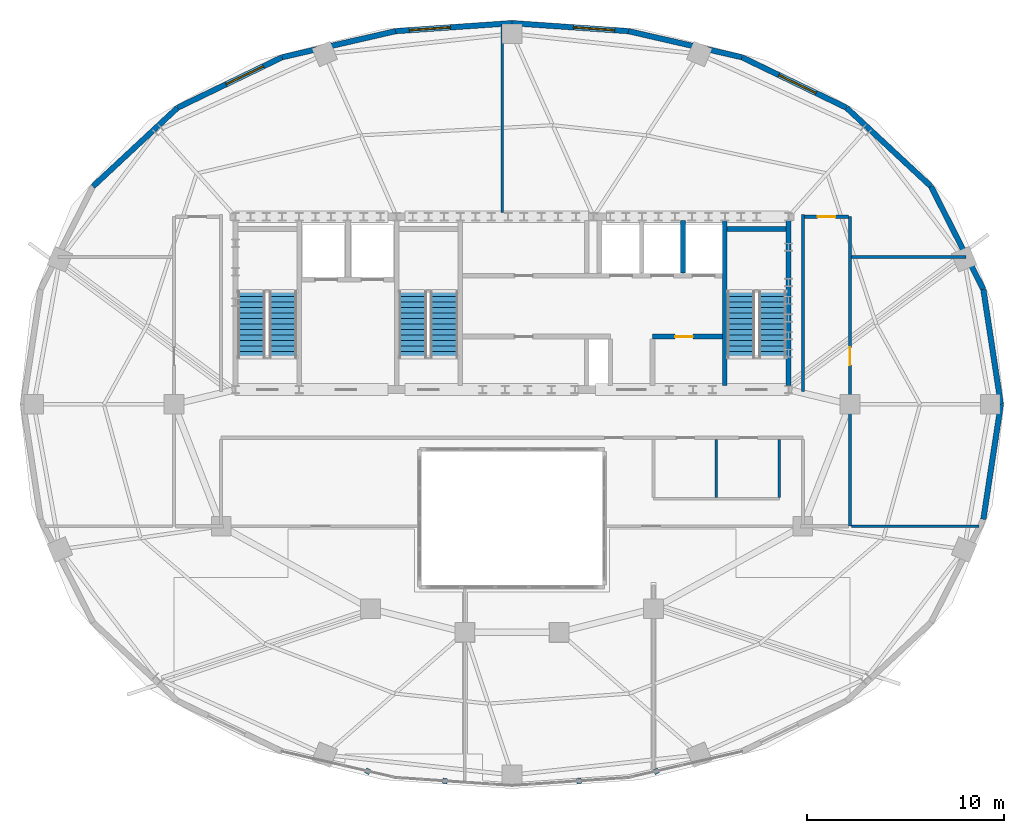
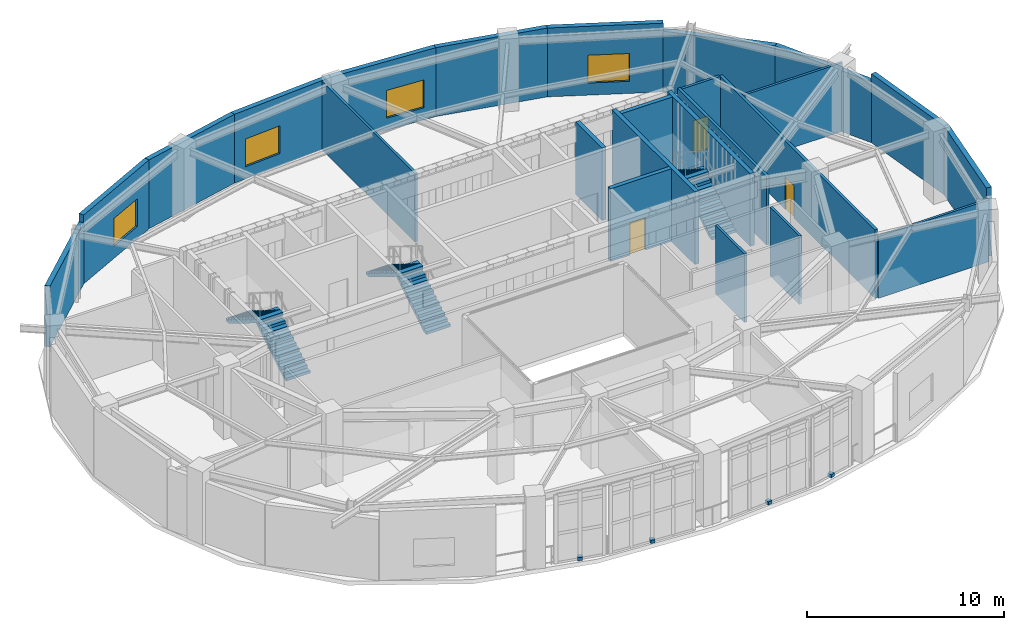
# One storey, part 9 of 11: 24 walls, 6 stair flights, 4 discrete accessories, 4 windows, 3 doors, 7 openings, 3 elements without a shape of their own.
"""IFC4 building model written with IfcOpenShell, lengths in metres."""

from ifc_helpers import new_model, si_unit, direction, frame, frame_2d, origin, origin_2d, place, context, subcontext, project, spatial, polyline, rectangle, outline, extrude, material, layer, layer_set, type_object, element, fill, aggregate, save


model = new_model("IFC4")

# Units and contexts
model_context = context("Model", 3, precision=1e-05, world=origin(), true_north=direction((0.0, 1.0)))
body_context = subcontext(model_context, "Body", "Model", "MODEL_VIEW")
ifc_project = project(units=[si_unit("LENGTHUNIT", "METRE"), si_unit("AREAUNIT", "SQUARE_METRE"), si_unit("VOLUMEUNIT", "CUBIC_METRE"), si_unit("PLANEANGLEUNIT", "RADIAN"), si_unit("MASSUNIT", "GRAM", prefix="KILO")], contexts=[model_context])

# Site, building, storey
site_placement = place(None, origin())
site = spatial("IfcSite", under=ifc_project, at=site_placement, CompositionType="ELEMENT")
building_placement = place(site_placement, origin())
building = spatial("IfcBuilding", under=site, at=building_placement, Name="Haldorwick Loom Tower", CompositionType="ELEMENT")
storey_placement = place(building_placement, frame((0.0, 0.0, 247.800048828125)))
storey = spatial("IfcBuildingStorey", under=building, at=storey_placement, Name="L67", CompositionType="ELEMENT", Elevation=247.800048828125)

# Walls
ifc_material_1 = material(Name="Pressed Clay Face Brick and Insulated Masonry Backup Assembly", Category="masonry")
ifc_layer_1 = layer(ifc_material_1, 0.280029296875, Name="Pressed Clay Face Brick and Insulated Masonry Backup Assembly", Category="masonry")
ifc_layer_set_1 = layer_set([ifc_layer_1], Name="Pressed Clay Face Brick and Insulated Masonry Backup Assembly")
wall_type_1 = type_object("IfcWallType", Name="ARC-WL-EXT280", PredefinedType="STANDARD", material=ifc_layer_set_1)
wall_1_placement = place(storey_placement, frame((60.876708984375, 26.0, 0.0), z_axis=(0.0, 0.0, 1.0), x_axis=(-0.150497234153, 0.988610430105, 0.0)))
element("IfcWall", 1, at=wall_1_placement, inside=storey, type_object=wall_type_1, Name="L67 Brick Pier and Spandrel Wall 1", PredefinedType="STANDARD", context=body_context, shape_type="SweptSolid", body=[
    extrude(rectangle(XDim=5.916259765625, YDim=0.280029296875, at=frame_2d((2.9580078125, 0.0))), origin(), (0.0, 0.0, 1.0), 4.260009765625),
])
wall_2_placement = place(storey_placement, frame((59.986328125, 31.848876953125, 0.0), z_axis=(0.0, 0.0, 1.0), x_axis=(-0.453100705059, 0.89145933787, 0.0)))
element("IfcWall", 2, at=wall_2_placement, inside=storey, type_object=wall_type_1, Name="L67 Brick Pier and Spandrel Wall 2", PredefinedType="STANDARD", context=body_context, shape_type="SweptSolid", body=[
    extrude(rectangle(XDim=5.879150390625, YDim=0.280029296875, at=frame_2d((2.939453125, 0.0))), origin(), (0.0, 0.0, 1.0), 3.76904296875),
])
wall_3_placement = place(storey_placement, frame((57.322509765625, 37.08984375, 0.0), z_axis=(0.0, 0.0, 1.0), x_axis=(-0.731924682982, 0.68138554317, 0.0)))
element("IfcWall", 3, at=wall_3_placement, inside=storey, type_object=wall_type_1, Name="L67 Brick Pier and Spandrel Wall 3", PredefinedType="STANDARD", context=body_context, shape_type="SweptSolid", body=[
    extrude(rectangle(XDim=5.87890625, YDim=0.280029296875, at=frame_2d((2.939453125, 0.0))), origin(), (0.0, 0.0, 1.0), 3.76904296875),
])

# Wall, opening, window
wall_4_placement = place(storey_placement, frame((53.01953125, 41.095703125, 0.0), z_axis=(0.0, 0.0, 1.0), x_axis=(-0.900481907967, 0.434893473651, 0.0)))
wall_4 = element("IfcWall", 4, at=wall_4_placement, inside=storey, type_object=wall_type_1, Name="L67 Brick Pier and Spandrel Wall 4", PredefinedType="STANDARD", context=body_context, shape_type="SweptSolid", body=[
    extrude(rectangle(XDim=5.90966796875, YDim=0.280029296875, at=frame_2d((2.954833984375, 0.0))), origin(), (0.0, 0.0, 1.0), 4.260009765625),
])
opening_1_placement = place(wall_4_placement, frame((1.72412109375, 0.0, 0.75)))
opening_1 = element("IfcOpeningElement", 5, at=opening_1_placement, cuts=wall_4, Name="Opening W-04", PredefinedType="OPENING", context=body_context, shape_type="SweptSolid", body=[
    extrude(rectangle(XDim=2.10009765625, YDim=1.719970703125, at=frame_2d((1.050048828125, 0.85986328125))), frame((0.0, 0.14990234375, 0.0), z_axis=(0.0, -1.0, 0.0), x_axis=(1.0, 0.0, 0.0)), (0.0, 0.0, 1.0), 0.300048828125),
])
ifc_material_2 = material(Name="Triple-Glazed Low-E Argon Insulated Glazing Unit", Category="glass")
window_type = type_object("IfcWindowType", Name="ARC-WIN-W210", PartitioningType="SINGLE_PANEL", PredefinedType="WINDOW", material=ifc_material_2)
window_1_placement = place(opening_1_placement, origin())
window_1 = element("IfcWindow", 6, at=window_1_placement, inside=storey, type_object=window_type, Name="L67 Deep-Set Zone 7A Window 4", OverallHeight=1.719970703125, OverallWidth=2.10009765625, PartitioningType="SINGLE_PANEL", PredefinedType="WINDOW", context=body_context, shape_type="SweptSolid", body=[
    extrude(rectangle(XDim=2.10009765625, YDim=1.719970703125, at=frame_2d((1.050048828125, 0.85986328125))), frame((0.0, 0.030029296875, 0.0), z_axis=(0.0, -1.0, 0.0), x_axis=(1.0, 0.0, 0.0)), (0.0, 0.0, 1.0), 0.06005859375),
])
fill(opening_1, window_1)

# Wall
wall_5_placement = place(storey_placement, frame((47.697998046875, 43.665771484375, 0.0), z_axis=(0.0, 0.0, 1.0), x_axis=(-0.974589984037, 0.223996345987, 0.0)))
element("IfcWall", 7, at=wall_5_placement, inside=storey, type_object=wall_type_1, Name="L67 Brick Pier and Spandrel Wall 5", PredefinedType="STANDARD", context=body_context, shape_type="SweptSolid", body=[
    extrude(rectangle(XDim=5.92919921875, YDim=0.280029296875, at=frame_2d((2.964599609375, 0.0))), origin(), (0.0, 0.0, 1.0), 4.260009765625),
])

# Wall, opening, window
wall_6_placement = place(storey_placement, frame((41.91943359375, 44.993896484375, 0.0), z_axis=(0.0, 0.0, 1.0), x_axis=(-0.997656066566, 0.068427865986, 0.0)))
wall_6 = element("IfcWall", 8, at=wall_6_placement, inside=storey, type_object=wall_type_1, Name="L67 Brick Pier and Spandrel Wall 6", PredefinedType="STANDARD", context=body_context, shape_type="SweptSolid", body=[
    extrude(rectangle(XDim=5.933349609375, YDim=0.280029296875, at=frame_2d((2.966796875, 0.0))), origin(), (0.0, 0.0, 1.0), 4.260009765625),
])
opening_2_placement = place(wall_6_placement, frame((0.697021484375, 0.0, 0.75)))
opening_2 = element("IfcOpeningElement", 9, at=opening_2_placement, cuts=wall_6, Name="Opening W-04", PredefinedType="OPENING", context=body_context, shape_type="SweptSolid", body=[
    extrude(rectangle(XDim=2.10009765625, YDim=1.719970703125, at=frame_2d((1.050048828125, 0.85986328125))), frame((0.0, 0.14990234375, 0.0), z_axis=(0.0, -1.0, 0.0), x_axis=(1.0, 0.0, 0.0)), (0.0, 0.0, 1.0), 0.300048828125),
])
window_2_placement = place(opening_2_placement, origin())
window_2 = element("IfcWindow", 10, at=window_2_placement, inside=storey, type_object=window_type, Name="L67 Deep-Set Zone 7A Window 6", OverallHeight=1.719970703125, OverallWidth=2.10009765625, PartitioningType="SINGLE_PANEL", PredefinedType="WINDOW", context=body_context, shape_type="SweptSolid", body=[
    extrude(rectangle(XDim=2.10009765625, YDim=1.719970703125, at=frame_2d((1.050048828125, 0.85986328125))), frame((0.0, 0.030029296875, 0.0), z_axis=(0.0, -1.0, 0.0), x_axis=(1.0, 0.0, 0.0)), (0.0, 0.0, 1.0), 0.06005859375),
])
fill(opening_2, window_2)

wall_7_placement = place(storey_placement, frame((36.0, 45.39990234375, 0.0), z_axis=(0.0, 0.0, 1.0), x_axis=(-0.997656066566, -0.068427865986, 0.0)))
wall_7 = element("IfcWall", 11, at=wall_7_placement, inside=storey, type_object=wall_type_1, Name="L67 Brick Pier and Spandrel Wall 7", PredefinedType="STANDARD", context=body_context, shape_type="SweptSolid", body=[
    extrude(rectangle(XDim=5.933349609375, YDim=0.280029296875, at=frame_2d((2.966796875, 0.0))), origin(), (0.0, 0.0, 1.0), 4.260009765625),
])
opening_3_placement = place(wall_7_placement, frame((3.136474609375, 0.0, 0.75)))
opening_3 = element("IfcOpeningElement", 12, at=opening_3_placement, cuts=wall_7, Name="Opening W-04", PredefinedType="OPENING", context=body_context, shape_type="SweptSolid", body=[
    extrude(rectangle(XDim=2.10009765625, YDim=1.719970703125, at=frame_2d((1.050048828125, 0.85986328125))), frame((0.0, 0.14990234375, 0.0), z_axis=(0.0, -1.0, 0.0), x_axis=(1.0, 0.0, 0.0)), (0.0, 0.0, 1.0), 0.300048828125),
])
window_3_placement = place(opening_3_placement, origin())
window_3 = element("IfcWindow", 13, at=window_3_placement, inside=storey, type_object=window_type, Name="L67 Deep-Set Zone 7A Window 7", OverallHeight=1.719970703125, OverallWidth=2.10009765625, PartitioningType="SINGLE_PANEL", PredefinedType="WINDOW", context=body_context, shape_type="SweptSolid", body=[
    extrude(rectangle(XDim=2.10009765625, YDim=1.719970703125, at=frame_2d((1.050048828125, 0.85986328125))), frame((0.0, 0.030029296875, 0.0), z_axis=(0.0, -1.0, 0.0), x_axis=(1.0, 0.0, 0.0)), (0.0, 0.0, 1.0), 0.06005859375),
])
fill(opening_3, window_3)

# Wall
wall_8_placement = place(storey_placement, frame((30.08056640625, 44.993896484375, 0.0), z_axis=(0.0, 0.0, 1.0), x_axis=(-0.974589984037, -0.223996345987, 0.0)))
element("IfcWall", 14, at=wall_8_placement, inside=storey, type_object=wall_type_1, Name="L67 Brick Pier and Spandrel Wall 8", PredefinedType="STANDARD", context=body_context, shape_type="SweptSolid", body=[
    extrude(rectangle(XDim=5.92919921875, YDim=0.280029296875, at=frame_2d((2.964599609375, 0.0))), origin(), (0.0, 0.0, 1.0), 4.260009765625),
])

# Wall, opening, window
wall_9_placement = place(storey_placement, frame((24.302001953125, 43.665771484375, 0.0), z_axis=(0.0, 0.0, 1.0), x_axis=(-0.900481907967, -0.434893473651, 0.0)))
wall_9 = element("IfcWall", 15, at=wall_9_placement, inside=storey, type_object=wall_type_1, Name="L67 Brick Pier and Spandrel Wall 9", PredefinedType="STANDARD", context=body_context, shape_type="SweptSolid", body=[
    extrude(rectangle(XDim=5.90966796875, YDim=0.280029296875, at=frame_2d((2.954833984375, 0.0))), origin(), (0.0, 0.0, 1.0), 4.260009765625),
])
opening_4_placement = place(wall_9_placement, frame((1.062255859375, 0.0, 0.75)))
opening_4 = element("IfcOpeningElement", 16, at=opening_4_placement, cuts=wall_9, Name="Opening W-04", PredefinedType="OPENING", context=body_context, shape_type="SweptSolid", body=[
    extrude(rectangle(XDim=2.10009765625, YDim=1.719970703125, at=frame_2d((1.050048828125, 0.85986328125))), frame((0.0, 0.14990234375, 0.0), z_axis=(0.0, -1.0, 0.0), x_axis=(1.0, 0.0, 0.0)), (0.0, 0.0, 1.0), 0.300048828125),
])
window_4_placement = place(opening_4_placement, origin())
window_4 = element("IfcWindow", 17, at=window_4_placement, inside=storey, type_object=window_type, Name="L67 Deep-Set Zone 7A Window 9", OverallHeight=1.719970703125, OverallWidth=2.10009765625, PartitioningType="SINGLE_PANEL", PredefinedType="WINDOW", context=body_context, shape_type="SweptSolid", body=[
    extrude(rectangle(XDim=2.10009765625, YDim=1.719970703125, at=frame_2d((1.050048828125, 0.85986328125))), frame((0.0, 0.030029296875, 0.0), z_axis=(0.0, -1.0, 0.0), x_axis=(1.0, 0.0, 0.0)), (0.0, 0.0, 1.0), 0.06005859375),
])
fill(opening_4, window_4)

# Walls
wall_10_placement = place(storey_placement, frame((18.98046875, 41.095703125, 0.0), z_axis=(0.0, 0.0, 1.0), x_axis=(-0.731924682982, -0.68138554317, 0.0)))
element("IfcWall", 18, at=wall_10_placement, inside=storey, type_object=wall_type_1, Name="L67 Brick Pier and Spandrel Wall 10", PredefinedType="STANDARD", context=body_context, shape_type="SweptSolid", body=[
    extrude(rectangle(XDim=5.87890625, YDim=0.280029296875, at=frame_2d((2.939453125, 0.0))), origin(), (0.0, 0.0, 1.0), 3.76904296875),
])
wall_11_placement = place(storey_placement, frame((59.986328125, 20.151123046875, 0.0), z_axis=(0.0, 0.0, 1.0), x_axis=(0.150497234153, 0.988610430105, 0.0)))
element("IfcWall", 19, at=wall_11_placement, inside=storey, type_object=wall_type_1, Name="L67 Brick Pier and Spandrel Wall 24", PredefinedType="STANDARD", context=body_context, shape_type="SweptSolid", body=[
    extrude(rectangle(XDim=5.916259765625, YDim=0.280029296875, at=frame_2d((2.9580078125, 0.0))), origin(), (0.0, 0.0, 1.0), 4.260009765625),
])

# Wall, opening, door
ifc_material_3 = material(Name="Fire-Rated Type X Gypsum Stud Assembly EI 60")
ifc_layer_2 = layer(ifc_material_3, 0.159912109375, Name="Fire-Rated Type X Gypsum Stud Assembly EI 60")
ifc_layer_set_2 = layer_set([ifc_layer_2], Name="Fire-Rated Type X Gypsum Stud Assembly EI 60")
wall_type_2 = type_object("IfcWallType", Name="ARC-WL-FIRE160", PredefinedType="PARTITIONING", material=ifc_layer_set_2)
wall_12_placement = place(storey_placement, frame((53.199951171875, 19.800048828125, 0.0), z_axis=(0.0, 0.0, 1.0), x_axis=(0.0, 1.0, 0.0)))
wall_12 = element("IfcWall", 20, at=wall_12_placement, inside=storey, type_object=wall_type_2, Name="L67 Interior Partition L67-CE0", PredefinedType="PARTITIONING", context=body_context, shape_type="SweptSolid", body=[
    extrude(rectangle(XDim=15.75, YDim=0.159912109375, at=frame_2d((7.875, 0.0))), origin(), (0.0, 0.0, 1.0), 4.244873046875),
])
opening_5_placement = place(wall_12_placement, frame((8.19482421875, 0.0, 0.0)))
opening_5 = element("IfcOpeningElement", 21, at=opening_5_placement, cuts=wall_12, Name="Opening D-FD60A", PredefinedType="OPENING", context=body_context, shape_type="SweptSolid", body=[
    extrude(rectangle(XDim=0.89990234375, YDim=2.0, at=frame_2d((0.449951171875, 1.0))), frame((0.0, 0.08984375, 0.0), z_axis=(0.0, -1.0, 0.0), x_axis=(1.0, 0.0, 0.0)), (0.0, 0.0, 1.0), 0.179931640625),
])
ifc_material_4 = material(Name="Hollow Steel Fire Door Assembly", Category="steel")
door_type = type_object("IfcDoorType", Name="ARC-DR-FD60-90", OperationType="NOTDEFINED", PredefinedType="DOOR", material=ifc_material_4)
door_1_placement = place(opening_5_placement, origin())
door_1 = element("IfcDoor", 22, at=door_1_placement, inside=storey, type_object=door_type, Name="L67 L67 Central Transfer Corridor to Music Recital Hall 7 Door", OperationType="SINGLE_SWING_LEFT", OverallHeight=2.0, OverallWidth=0.89990234375, PredefinedType="DOOR", context=body_context, shape_type="SweptSolid", body=[
    extrude(rectangle(XDim=0.89990234375, YDim=2.0, at=frame_2d((0.449951171875, 1.0))), frame((0.0, 0.02490234375, 0.0), z_axis=(0.0, -1.0, 0.0), x_axis=(1.0, 0.0, 0.0)), (0.0, 0.0, 1.0), 0.050048828125),
])
fill(opening_5, door_1)

# Wall
wall_13_placement = place(storey_placement, frame((50.800048828125, 26.64990234375, 0.0), z_axis=(0.0, 0.0, 1.0), x_axis=(0.0, 1.0, 0.0)))
element("IfcWall", 23, at=wall_13_placement, inside=storey, type_object=wall_type_2, Name="L67 Interior Partition L67-CE2", PredefinedType="PARTITIONING", context=body_context, shape_type="SweptSolid", body=[
    extrude(rectangle(XDim=9.0, YDim=0.159912109375, at=frame_2d((4.5, 0.0))), origin(), (0.0, 0.0, 1.0), 4.244873046875),
])

# Wall, opening, door
wall_14_placement = place(storey_placement, frame((50.883056640625, 35.550048828125, 0.0), z_axis=(0.0, 0.0, 1.0), x_axis=(1.0, 0.0, 0.0)))
wall_14 = element("IfcWall", 24, at=wall_14_placement, inside=storey, type_object=wall_type_2, Name="L67 Interior Partition L67-CEN", PredefinedType="PARTITIONING", context=body_context, shape_type="SweptSolid", body=[
    extrude(rectangle(XDim=2.23388671875, YDim=0.159912109375, at=frame_2d((1.116943359375, 0.0))), origin(), (0.0, 0.0, 1.0), 4.244873046875),
])
opening_6_placement = place(wall_14_placement, frame((0.6669921875, 0.0, 0.0)))
opening_6 = element("IfcOpeningElement", 25, at=opening_6_placement, cuts=wall_14, Name="Opening D-FD60A", PredefinedType="OPENING", context=body_context, shape_type="SweptSolid", body=[
    extrude(rectangle(XDim=0.89990234375, YDim=2.0, at=frame_2d((0.449951171875, 1.0))), frame((0.0, 0.08984375, 0.0), z_axis=(0.0, -1.0, 0.0), x_axis=(1.0, 0.0, 0.0)), (0.0, 0.0, 1.0), 0.179931640625),
])
door_2_placement = place(opening_6_placement, frame((0.89990234375, 0.0, 0.0), z_axis=(0.0, 0.0, 1.0), x_axis=(-1.0, 0.0, 0.0)))
door_2 = element("IfcDoor", 26, at=door_2_placement, inside=storey, type_object=door_type, Name="L67 Arts Administration Office 10 to L67 Central Transfer Corridor Door", OperationType="SINGLE_SWING_LEFT", OverallHeight=2.0, OverallWidth=0.89990234375, PredefinedType="DOOR", context=body_context, shape_type="SweptSolid", body=[
    extrude(rectangle(XDim=0.89990234375, YDim=2.0, at=frame_2d((0.449951171875, 1.0))), frame((0.0, 0.02490234375, 0.0), z_axis=(0.0, -1.0, 0.0), x_axis=(1.0, 0.0, 0.0)), (0.0, 0.0, 1.0), 0.050048828125),
])
fill(opening_6, door_2)

# Walls
ifc_layer_3 = layer(ifc_material_3, 0.139892578125, Name="Fire-Rated Type X Gypsum Stud Assembly EI 60")
ifc_layer_set_3 = layer_set([ifc_layer_3], Name="Fire-Rated Type X Gypsum Stud Assembly EI 60")
wall_type_3 = type_object("IfcWallType", Name="ARC-WL-PART140", PredefinedType="PARTITIONING", material=ifc_layer_set_3)
for number, where, z_axis, x_axis, name in (
    (27, (46.39990234375, 21.27294921875, 0.0), (0.0, 0.0, 1.0), (0.0, 1.0, 0.0), "L67 Interior Partition L67-WC2"),
    (28, (49.60009765625, 21.27294921875, 0.0), (0.0, 0.0, 1.0), (0.0, 1.0, 0.0), "L67 Interior Partition L67-WC4"),
):
    element("IfcWall", number, at=place(storey_placement, frame(where, z_axis=z_axis, x_axis=x_axis)), inside=storey, type_object=wall_type_3, Name=name, PredefinedType="PARTITIONING", context=body_context, shape_type="SweptSolid", body=[
        extrude(rectangle(XDim=2.944091796875, YDim=0.139892578125, at=frame_2d((1.47216796875, 0.0))), origin(), (0.0, 0.0, 1.0), 4.244873046875),
    ])
wall_15_placement = place(storey_placement, frame((53.282958984375, 19.800048828125, 0.0), z_axis=(0.0, 0.0, 1.0), x_axis=(1.0, 0.0, 0.0)))
element("IfcWall", 29, at=wall_15_placement, inside=storey, type_object=wall_type_3, Name="L67 Interior Partition L67-EL-S", PredefinedType="PARTITIONING", context=body_context, shape_type="SweptSolid", body=[
    extrude(rectangle(XDim=6.474365234375, YDim=0.139892578125, at=frame_2d((3.2373046875, 0.0))), origin(), (0.0, 0.0, 1.0), 3.822021484375),
])
wall_16_placement = place(storey_placement, frame((53.282958984375, 33.5, 0.0), z_axis=(0.0, 0.0, 1.0), x_axis=(1.0, 0.0, 0.0)))
element("IfcWall", 30, at=wall_16_placement, inside=storey, type_object=wall_type_3, Name="L67 Interior Partition L67-EL-N", PredefinedType="PARTITIONING", context=body_context, shape_type="SweptSolid", body=[
    extrude(rectangle(XDim=5.813720703125, YDim=0.139892578125, at=frame_2d((2.90673828125, 0.0))), origin(), (0.0, 0.0, 1.0), 4.244873046875),
])
wall_17_placement = place(storey_placement, frame((35.5, 35.7529296875, 0.0), z_axis=(0.0, 0.0, 1.0), x_axis=(0.0, 1.0, 0.0)))
element("IfcWall", 31, at=wall_17_placement, inside=storey, type_object=wall_type_3, Name="L67 Interior Partition L67-N-0", PredefinedType="PARTITIONING", context=body_context, shape_type="SweptSolid", body=[
    extrude(rectangle(XDim=9.567626953125, YDim=0.139892578125, at=frame_2d((4.78369140625, 0.0))), origin(), (0.0, 0.0, 1.0), 4.244873046875),
])
ifc_material_5 = material(Name="Concrete C50 (50 MPa)", Category="concrete")
ifc_layer_4 = layer(ifc_material_5, 0.239990234375, Name="Concrete C50 (50 MPa)", Category="concrete")
ifc_layer_set_4 = layer_set([ifc_layer_4], Name="Concrete C50 (50 MPa)")
wall_type_4 = type_object("IfcWallType", Name="STR-WL-SHAFT240", PredefinedType="SHEAR", material=ifc_layer_set_4)
for number, where, z_axis, x_axis, name in (
    (32, (50.070068359375, 26.952880859375, 0.0), (0.0, 0.0, 1.0), (0.0, 1.0, 0.0), "L67 Core Shear Wall E"),
    (33, (46.830078125, 26.952880859375, 0.0), (0.0, 0.0, 1.0), (0.0, 1.0, 0.0), "L67 Core Shear Wall 4"),
):
    element("IfcWall", number, at=place(storey_placement, frame(where, z_axis=z_axis, x_axis=x_axis)), inside=storey, type_object=wall_type_4, Name=name, PredefinedType="SHEAR", context=body_context, shape_type="SweptSolid", body=[
        extrude(rectangle(XDim=8.39404296875, YDim=0.239990234375, at=frame_2d((4.197021484375, 0.0))), origin(), (0.0, 0.0, 1.0), 4.5),
    ])
wall_18_placement = place(storey_placement, frame((46.952880859375, 34.919921875, 0.0), z_axis=(0.0, 0.0, 1.0), x_axis=(1.0, 0.0, 0.0)))
element("IfcWall", 34, at=wall_18_placement, inside=storey, type_object=wall_type_4, Name="L67 Core Shear Wall 4N", PredefinedType="SHEAR", context=body_context, shape_type="SweptSolid", body=[
    extrude(rectangle(XDim=2.994140625, YDim=0.239990234375, at=frame_2d((1.4970703125, 0.0))), origin(), (0.0, 0.0, 1.0), 4.5),
])

# Wall, opening, door
wall_19_placement = place(storey_placement, frame((43.14990234375, 29.449951171875, 0.0), z_axis=(0.0, 0.0, 1.0), x_axis=(1.0, 0.0, 0.0)))
wall_19 = element("IfcWall", 35, at=wall_19_placement, inside=storey, type_object=wall_type_4, Name="L67 Core Shear Wall LS2", PredefinedType="SHEAR", context=body_context, shape_type="SweptSolid", body=[
    extrude(rectangle(XDim=3.55712890625, YDim=0.239990234375, at=frame_2d((1.778564453125, 0.0))), origin(), (0.0, 0.0, 1.0), 4.5),
])
opening_7_placement = place(wall_19_placement, frame((1.14990234375, 0.0, 0.0)))
opening_7 = element("IfcOpeningElement", 36, at=opening_7_placement, cuts=wall_19, Name="Opening D-FD60A", PredefinedType="OPENING", context=body_context, shape_type="SweptSolid", body=[
    extrude(rectangle(XDim=0.89990234375, YDim=2.0, at=frame_2d((0.449951171875, 1.0))), frame((0.0, 0.1298828125, 0.0), z_axis=(0.0, -1.0, 0.0), x_axis=(1.0, 0.0, 0.0)), (0.0, 0.0, 1.0), 0.260009765625),
])
door_3_placement = place(opening_7_placement, origin())
door_3 = element("IfcDoor", 37, at=door_3_placement, inside=storey, type_object=door_type, Name="L67 Electrical Metering Door", OperationType="SINGLE_SWING_LEFT", OverallHeight=2.0, OverallWidth=0.89990234375, PredefinedType="DOOR", context=body_context, shape_type="SweptSolid", body=[
    extrude(rectangle(XDim=0.89990234375, YDim=2.0, at=frame_2d((0.449951171875, 1.0))), frame((0.0, 0.02490234375, 0.0), z_axis=(0.0, -1.0, 0.0), x_axis=(1.0, 0.0, 0.0)), (0.0, 0.0, 1.0), 0.050048828125),
])
fill(opening_7, door_3)

# Wall
wall_20_placement = place(storey_placement, frame((44.699951171875, 32.673095703125, 0.0), z_axis=(0.0, 0.0, 1.0), x_axis=(0.0, 1.0, 0.0)))
element("IfcWall", 38, at=wall_20_placement, inside=storey, type_object=wall_type_4, Name="L67 Core Shear Wall H2", PredefinedType="SHEAR", context=body_context, shape_type="SweptSolid", body=[
    extrude(rectangle(XDim=2.673828125, YDim=0.239990234375, at=frame_2d((1.3369140625, 0.0))), origin(), (0.0, 0.0, 1.0), 4.5),
])

# Stair, stair flights
ifc_material_6 = material(Name="Concrete C40 (40 MPa)", Category="concrete")
stair_type = type_object("IfcStairType", Name="STR-STR-CORE", PredefinedType="HALF_TURN_STAIR", material=ifc_material_6)
stair_1_placement = place(storey_placement, origin())
stair_1 = element("IfcStair", 39, at=stair_1_placement, inside=storey, type_object=stair_type, Name="L67 Exit Stair ST-01", PredefinedType="HALF_TURN_STAIR")
stair_flight_type = type_object("IfcStairFlightType", Name="STR-STF-1250", PredefinedType="STRAIGHT", material=ifc_material_6)
stair_flight_1_placement = place(storey_placement, frame((24.35009765625, 28.39990234375, 0.0), z_axis=(0.0, 0.0, 1.0), x_axis=(0.0, 1.0, 0.0)))
stair_flight_1 = element("IfcStairFlight", 40, at=stair_flight_1_placement, type_object=stair_flight_type, Name="ST-01 flight 1", NumberOfRisers=13, NumberOfTreads=12, PredefinedType="STRAIGHT", RiserHeight=0.173076923, TreadLength=0.28, context=body_context, shape_type="SweptSolid", body=[
    extrude(outline(polyline([(0.0, 0.0), (0.0, 0.173095703125), (0.280029296875, 0.173095703125), (0.280029296875, 0.34619140625), (0.56005859375, 0.34619140625), (0.56005859375, 0.519287109375), (0.840087890625, 0.519287109375), (0.840087890625, 0.6923828125), (1.1201171875, 0.6923828125), (1.1201171875, 0.865478515625), (1.39990234375, 0.865478515625), (1.39990234375, 1.03857421875), (1.679931640625, 1.03857421875), (1.679931640625, 1.21142578125), (1.9599609375, 1.21142578125), (1.9599609375, 1.384521484375), (2.239990234375, 1.384521484375), (2.239990234375, 1.5576171875), (2.52001953125, 1.5576171875), (2.52001953125, 1.730712890625), (2.800048828125, 1.730712890625), (2.800048828125, 1.90380859375), (3.080078125, 1.90380859375), (3.080078125, 2.076904296875), (3.360107421875, 2.076904296875), (3.360107421875, 2.25), (3.360107421875, 1.900634765625), (0.28515625, 0.0), (0.0, 0.0)])), frame((0.0, 0.699951171875, 0.0), z_axis=(0.0, -1.0, 0.0), x_axis=(1.0, 0.0, 0.0)), (0.0, 0.0, 1.0), 1.39990234375),
])
stair_flight_2_placement = place(storey_placement, frame((22.75, 31.760009765625, 2.25), z_axis=(0.0, 0.0, 1.0), x_axis=(0.0, -1.0, 0.0)))
stair_flight_2 = element("IfcStairFlight", 41, at=stair_flight_2_placement, type_object=stair_flight_type, Name="ST-01 flight 2", NumberOfRisers=13, NumberOfTreads=12, PredefinedType="STRAIGHT", RiserHeight=0.173076923, TreadLength=0.28, context=body_context, shape_type="SweptSolid", body=[
    extrude(outline(polyline([(0.0, 0.0), (0.0, 0.173095703125), (0.280029296875, 0.173095703125), (0.280029296875, 0.34619140625), (0.56005859375, 0.34619140625), (0.56005859375, 0.519287109375), (0.840087890625, 0.519287109375), (0.840087890625, 0.6923828125), (1.1201171875, 0.6923828125), (1.1201171875, 0.865478515625), (1.39990234375, 0.865478515625), (1.39990234375, 1.03857421875), (1.679931640625, 1.03857421875), (1.679931640625, 1.21142578125), (1.9599609375, 1.21142578125), (1.9599609375, 1.384521484375), (2.239990234375, 1.384521484375), (2.239990234375, 1.5576171875), (2.52001953125, 1.5576171875), (2.52001953125, 1.730712890625), (2.800048828125, 1.730712890625), (2.800048828125, 1.90380859375), (3.080078125, 1.90380859375), (3.080078125, 2.076904296875), (3.360107421875, 2.076904296875), (3.360107421875, 2.25), (3.360107421875, 1.900634765625), (0.28515625, 0.0), (0.0, 0.0)])), frame((0.0, 0.699951171875, 0.0), z_axis=(0.0, -1.0, 0.0), x_axis=(1.0, 0.0, 0.0)), (0.0, 0.0, 1.0), 1.39990234375),
])
aggregate(stair_1, [stair_flight_1, stair_flight_2])

stair_2_placement = place(storey_placement, origin())
stair_2 = element("IfcStair", 42, at=stair_2_placement, inside=storey, type_object=stair_type, Name="L67 Exit Stair ST-02", PredefinedType="HALF_TURN_STAIR")
stair_flight_3_placement = place(storey_placement, frame((49.25, 28.39990234375, 0.0), z_axis=(0.0, 0.0, 1.0), x_axis=(0.0, 1.0, 0.0)))
stair_flight_3 = element("IfcStairFlight", 43, at=stair_flight_3_placement, type_object=stair_flight_type, Name="ST-02 flight 1", NumberOfRisers=13, NumberOfTreads=12, PredefinedType="STRAIGHT", RiserHeight=0.173076923, TreadLength=0.28, context=body_context, shape_type="SweptSolid", body=[
    extrude(outline(polyline([(0.0, 0.0), (0.0, 0.173095703125), (0.280029296875, 0.173095703125), (0.280029296875, 0.34619140625), (0.56005859375, 0.34619140625), (0.56005859375, 0.519287109375), (0.840087890625, 0.519287109375), (0.840087890625, 0.6923828125), (1.1201171875, 0.6923828125), (1.1201171875, 0.865478515625), (1.39990234375, 0.865478515625), (1.39990234375, 1.03857421875), (1.679931640625, 1.03857421875), (1.679931640625, 1.21142578125), (1.9599609375, 1.21142578125), (1.9599609375, 1.384521484375), (2.239990234375, 1.384521484375), (2.239990234375, 1.5576171875), (2.52001953125, 1.5576171875), (2.52001953125, 1.730712890625), (2.800048828125, 1.730712890625), (2.800048828125, 1.90380859375), (3.080078125, 1.90380859375), (3.080078125, 2.076904296875), (3.360107421875, 2.076904296875), (3.360107421875, 2.25), (3.360107421875, 1.900634765625), (0.28515625, 0.0), (0.0, 0.0)])), frame((0.0, 0.699951171875, 0.0), z_axis=(0.0, -1.0, 0.0), x_axis=(1.0, 0.0, 0.0)), (0.0, 0.0, 1.0), 1.39990234375),
])
stair_flight_4_placement = place(storey_placement, frame((47.64990234375, 31.760009765625, 2.25), z_axis=(0.0, 0.0, 1.0), x_axis=(0.0, -1.0, 0.0)))
stair_flight_4 = element("IfcStairFlight", 44, at=stair_flight_4_placement, type_object=stair_flight_type, Name="ST-02 flight 2", NumberOfRisers=13, NumberOfTreads=12, PredefinedType="STRAIGHT", RiserHeight=0.173076923, TreadLength=0.28, context=body_context, shape_type="SweptSolid", body=[
    extrude(outline(polyline([(0.0, 0.0), (0.0, 0.173095703125), (0.280029296875, 0.173095703125), (0.280029296875, 0.34619140625), (0.56005859375, 0.34619140625), (0.56005859375, 0.519287109375), (0.840087890625, 0.519287109375), (0.840087890625, 0.6923828125), (1.1201171875, 0.6923828125), (1.1201171875, 0.865478515625), (1.39990234375, 0.865478515625), (1.39990234375, 1.03857421875), (1.679931640625, 1.03857421875), (1.679931640625, 1.21142578125), (1.9599609375, 1.21142578125), (1.9599609375, 1.384521484375), (2.239990234375, 1.384521484375), (2.239990234375, 1.5576171875), (2.52001953125, 1.5576171875), (2.52001953125, 1.730712890625), (2.800048828125, 1.730712890625), (2.800048828125, 1.90380859375), (3.080078125, 1.90380859375), (3.080078125, 2.076904296875), (3.360107421875, 2.076904296875), (3.360107421875, 2.25), (3.360107421875, 1.900634765625), (0.28515625, 0.0), (0.0, 0.0)])), frame((0.0, 0.699951171875, 0.0), z_axis=(0.0, -1.0, 0.0), x_axis=(1.0, 0.0, 0.0)), (0.0, 0.0, 1.0), 1.39990234375),
])
aggregate(stair_2, [stair_flight_3, stair_flight_4])

stair_3_placement = place(storey_placement, origin())
stair_3 = element("IfcStair", 45, at=stair_3_placement, inside=storey, type_object=stair_type, Name="L67 Exit Stair ST-03", PredefinedType="HALF_TURN_STAIR")
stair_flight_5_placement = place(storey_placement, frame((32.550048828125, 28.39990234375, 0.0), z_axis=(0.0, 0.0, 1.0), x_axis=(0.0, 1.0, 0.0)))
stair_flight_5 = element("IfcStairFlight", 46, at=stair_flight_5_placement, type_object=stair_flight_type, Name="ST-03 flight 1", NumberOfRisers=13, NumberOfTreads=12, PredefinedType="STRAIGHT", RiserHeight=0.173076923, TreadLength=0.28, context=body_context, shape_type="SweptSolid", body=[
    extrude(outline(polyline([(0.0, 0.0), (0.0, 0.173095703125), (0.280029296875, 0.173095703125), (0.280029296875, 0.34619140625), (0.56005859375, 0.34619140625), (0.56005859375, 0.519287109375), (0.840087890625, 0.519287109375), (0.840087890625, 0.6923828125), (1.1201171875, 0.6923828125), (1.1201171875, 0.865478515625), (1.39990234375, 0.865478515625), (1.39990234375, 1.03857421875), (1.679931640625, 1.03857421875), (1.679931640625, 1.21142578125), (1.9599609375, 1.21142578125), (1.9599609375, 1.384521484375), (2.239990234375, 1.384521484375), (2.239990234375, 1.5576171875), (2.52001953125, 1.5576171875), (2.52001953125, 1.730712890625), (2.800048828125, 1.730712890625), (2.800048828125, 1.90380859375), (3.080078125, 1.90380859375), (3.080078125, 2.076904296875), (3.360107421875, 2.076904296875), (3.360107421875, 2.25), (3.360107421875, 1.900634765625), (0.28515625, 0.0), (0.0, 0.0)])), frame((0.0, 0.699951171875, 0.0), z_axis=(0.0, -1.0, 0.0), x_axis=(1.0, 0.0, 0.0)), (0.0, 0.0, 1.0), 1.39990234375),
])
stair_flight_6_placement = place(storey_placement, frame((30.949951171875, 31.760009765625, 2.25), z_axis=(0.0, 0.0, 1.0), x_axis=(0.0, -1.0, 0.0)))
stair_flight_6 = element("IfcStairFlight", 47, at=stair_flight_6_placement, type_object=stair_flight_type, Name="ST-03 flight 2", NumberOfRisers=13, NumberOfTreads=12, PredefinedType="STRAIGHT", RiserHeight=0.173076923, TreadLength=0.28, context=body_context, shape_type="SweptSolid", body=[
    extrude(outline(polyline([(0.0, 0.0), (0.0, 0.173095703125), (0.280029296875, 0.173095703125), (0.280029296875, 0.34619140625), (0.56005859375, 0.34619140625), (0.56005859375, 0.519287109375), (0.840087890625, 0.519287109375), (0.840087890625, 0.6923828125), (1.1201171875, 0.6923828125), (1.1201171875, 0.865478515625), (1.39990234375, 0.865478515625), (1.39990234375, 1.03857421875), (1.679931640625, 1.03857421875), (1.679931640625, 1.21142578125), (1.9599609375, 1.21142578125), (1.9599609375, 1.384521484375), (2.239990234375, 1.384521484375), (2.239990234375, 1.5576171875), (2.52001953125, 1.5576171875), (2.52001953125, 1.730712890625), (2.800048828125, 1.730712890625), (2.800048828125, 1.90380859375), (3.080078125, 1.90380859375), (3.080078125, 2.076904296875), (3.360107421875, 2.076904296875), (3.360107421875, 2.25), (3.360107421875, 1.900634765625), (0.28515625, 0.0), (0.0, 0.0)])), frame((0.0, 0.699951171875, 0.0), z_axis=(0.0, -1.0, 0.0), x_axis=(1.0, 0.0, 0.0)), (0.0, 0.0, 1.0), 1.39990234375),
])
aggregate(stair_3, [stair_flight_5, stair_flight_6])

# Discrete accessories
ifc_material_7 = material(Name="Galvanized Steel CSA G40.21 350W", Category="steel")
discrete_accessory_type = type_object("IfcDiscreteAccessoryType", Name="ARC-ACC-BRACKET", PredefinedType="BRACKET", material=ifc_material_7)
for number, where, z_axis, x_axis, name in (
    (48, (28.658447265625, 7.3330078125, 0.0), (0.0, 0.0, 1.0), (-0.433659084588, -0.901077021322, 0.0), "L67 Curtain-Wall Mullion Anchor Bracket 17"),
    (49, (32.5927734375, 6.833740234375, 0.0), (0.0, 0.0, 1.0), (-0.152985836284, -0.988228381447, 0.0), "L67 Curtain-Wall Mullion Anchor Bracket 18"),
    (50, (39.4072265625, 6.833740234375, 0.0), (0.0, 0.0, 1.0), (0.152985836284, -0.988228381447, 0.0), "L67 Curtain-Wall Mullion Anchor Bracket 19"),
    (51, (43.341552734375, 7.3330078125, 0.0), (0.0, 0.0, 1.0), (0.433659084588, -0.901077021322, 0.0), "L67 Curtain-Wall Mullion Anchor Bracket 20"),
):
    element("IfcDiscreteAccessory", number, at=place(storey_placement, frame(where, z_axis=z_axis, x_axis=x_axis)), inside=storey, type_object=discrete_accessory_type, Name=name, PredefinedType="BRACKET", context=body_context, shape_type="SweptSolid", body=[
        extrude(rectangle(XDim=0.260009765625, YDim=0.239990234375, at=origin_2d()), origin(), (0.0, 0.0, 1.0), 0.199951171875),
    ])

save(model, "model.ifc")
